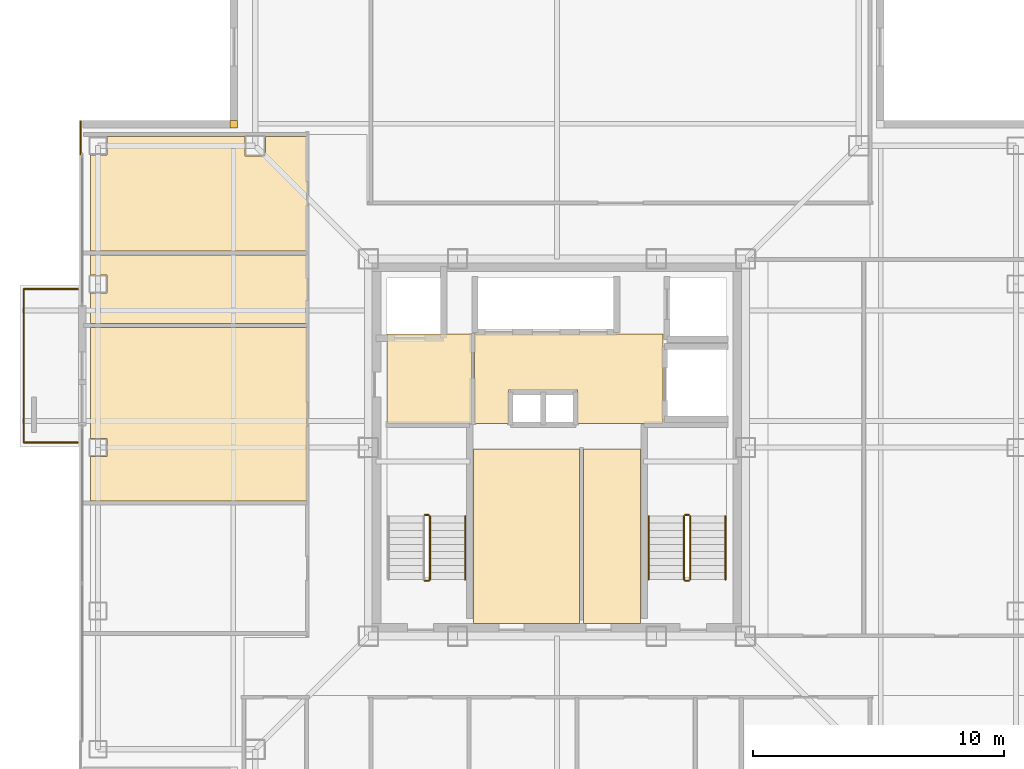
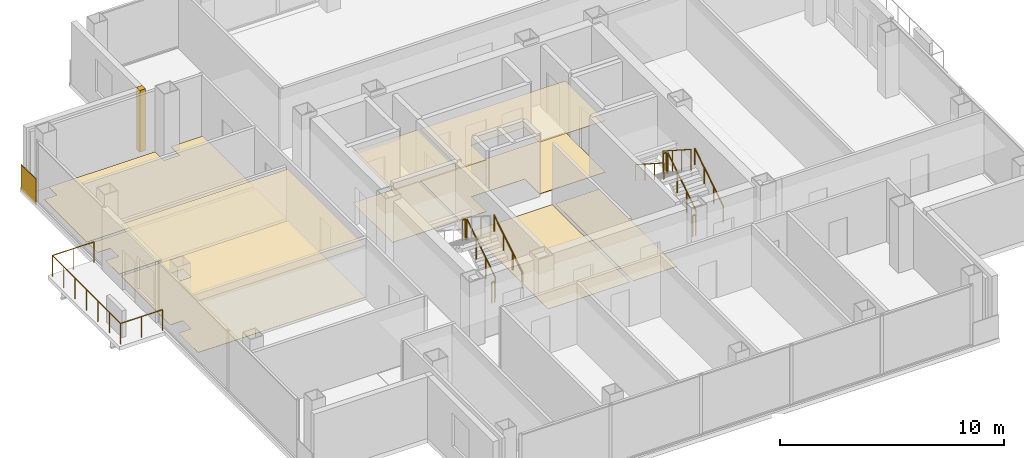
# One storey, part 12 of 13: 13 railings, 12 coverings.
"""IFC4 building model written with IfcOpenShell, lengths in metres."""

from ifc_helpers import new_model, si_unit, direction, frame, frame_2d, origin, origin_2d, place, context, subcontext, project, spatial, polyline, rectangle, circle, outline, extrude, material, layer, layer_set, type_object, element, save


model = new_model("IFC4")

# Units and contexts
model_context = context("Model", 3, precision=1e-05, world=origin(), true_north=direction((0.0, 1.0)))
body_context = subcontext(model_context, "Body", "Model", "MODEL_VIEW")
ifc_project = project(units=[si_unit("LENGTHUNIT", "METRE"), si_unit("AREAUNIT", "SQUARE_METRE"), si_unit("VOLUMEUNIT", "CUBIC_METRE"), si_unit("PLANEANGLEUNIT", "RADIAN"), si_unit("MASSUNIT", "GRAM", prefix="KILO")], contexts=[model_context])

# Site, building, storey
site_placement = place(None, origin())
site = spatial("IfcSite", under=ifc_project, at=site_placement, CompositionType="ELEMENT")
building_placement = place(site_placement, origin())
building = spatial("IfcBuilding", under=site, at=building_placement, Name="Trevonay Congress Spire", CompositionType="ELEMENT")
storey_placement = place(building_placement, frame((0.0, 0.0, 286.39990234375)))
storey = spatial("IfcBuildingStorey", under=building, at=storey_placement, Name="L75", CompositionType="ELEMENT", Elevation=286.39990234375)

# Coverings
ifc_material_1 = material(Name="Acoustic Mineral Fibre Board", Category="gypsum")
ifc_layer_1 = layer(ifc_material_1, 0.02490234375, Name="Acoustic Mineral Fibre Board")
ifc_layer_set_1 = layer_set([ifc_layer_1], Name="Acoustic Mineral Fibre Board")
covering_type_1 = type_object("IfcCoveringType", Name="COV-CEIL-ACOUSTIC", PredefinedType="CEILING", material=ifc_layer_set_1)
covering_1_placement = place(storey_placement, frame((0.0, 0.0, 2.81005859375)))
element("IfcCovering", 1, at=covering_1_placement, inside=storey, type_object=covering_type_1, Name="L75 Firefighting Lift Lobby West acoustic suspended ceiling", PredefinedType="CEILING", context=body_context, shape_type="SweptSolid", body=[
    extrude(outline(polyline([(-6.75, 0.9599609375), (-3.3798828125, 0.9599609375), (-3.3798828125, 4.52001953125), (-6.75, 4.52001953125), (-6.75, 0.9599609375)])), origin(), (0.0, 0.0, 1.0), 0.025146484375),
])
covering_2_placement = place(storey_placement, frame((0.0, 0.0, 2.81005859375)))
element("IfcCovering", 2, at=covering_2_placement, inside=storey, type_object=covering_type_1, Name="L75 Central and High-Rise Passenger Lift Lobby acoustic suspended ceiling", PredefinedType="CEILING", context=body_context, shape_type="SweptSolid", body=[
    extrude(outline(polyline([(-3.280029296875, 0.949951171875), (-1.919921875, 0.949951171875), (-1.919921875, 2.280029296875), (0.820068359375, 2.280029296875), (0.820068359375, 0.949951171875), (4.219970703125, 0.949951171875), (4.219970703125, 4.52001953125), (-3.280029296875, 4.52001953125), (-3.280029296875, 0.949951171875)])), origin(), (0.0, 0.0, 1.0), 0.025146484375),
])
covering_3_placement = place(storey_placement, frame((0.0, 0.0, 2.81005859375)))
element("IfcCovering", 3, at=covering_3_placement, inside=storey, type_object=covering_type_1, Name="L75 Symposium Seminar Room B acoustic suspended ceiling", PredefinedType="CEILING", context=body_context, shape_type="SweptSolid", body=[
    extrude(outline(polyline([(-18.550048828125, 4.77001953125), (-9.929931640625, 4.77001953125), (-9.929931640625, -2.1201171875), (-18.550048828125, -2.1201171875), (-18.550048828125, -0.360107421875), (-17.889892578125, -0.360107421875), (-17.889892578125, 0.360107421875), (-18.550048828125, 0.360107421875), (-18.550048828125, 4.77001953125)])), origin(), (0.0, 0.0, 1.0), 0.025146484375),
])
ifc_material_2 = material(Name="Polished Granite Floor Tile", Category="masonry")
ifc_layer_2 = layer(ifc_material_2, 0.02001953125, Name="Polished Granite Floor Tile")
ifc_layer_set_2 = layer_set([ifc_layer_2], Name="Polished Granite Floor Tile")
covering_type_2 = type_object("IfcCoveringType", Name="COV-FLOOR-STONE", PredefinedType="FLOORING", material=ifc_layer_set_2)
covering_4_placement = place(storey_placement, origin())
element("IfcCovering", 4, at=covering_4_placement, inside=storey, type_object=covering_type_2, Name="L75 Firefighting Lift Lobby West floor finish", PredefinedType="FLOORING", context=body_context, shape_type="SweptSolid", body=[
    extrude(outline(polyline([(-6.75, 0.9599609375), (-3.3798828125, 0.9599609375), (-3.3798828125, 4.52001953125), (-6.75, 4.52001953125), (-6.75, 0.9599609375)])), origin(), (0.0, 0.0, 1.0), 0.02001953125),
])
covering_5_placement = place(storey_placement, origin())
element("IfcCovering", 5, at=covering_5_placement, inside=storey, type_object=covering_type_2, Name="L75 Central and High-Rise Passenger Lift Lobby floor finish", PredefinedType="FLOORING", context=body_context, shape_type="SweptSolid", body=[
    extrude(outline(polyline([(-3.280029296875, 0.949951171875), (-1.919921875, 0.949951171875), (-1.919921875, 2.280029296875), (0.820068359375, 2.280029296875), (0.820068359375, 0.949951171875), (4.219970703125, 0.949951171875), (4.219970703125, 4.52001953125), (-3.280029296875, 4.52001953125), (-3.280029296875, 0.949951171875)])), origin(), (0.0, 0.0, 1.0), 0.02001953125),
])
covering_6_placement = place(storey_placement, origin())
element("IfcCovering", 6, at=covering_6_placement, inside=storey, type_object=covering_type_2, Name="L75 Translation Equipment Hub floor finish", PredefinedType="FLOORING", context=body_context, shape_type="SweptSolid", body=[
    extrude(outline(polyline([(-3.320068359375, -7.0), (0.89990234375, -7.0), (0.89990234375, -0.050048828125), (-3.320068359375, -0.050048828125), (-3.320068359375, -7.0)])), origin(), (0.0, 0.0, 1.0), 0.02001953125),
])
covering_7_placement = place(storey_placement, origin())
element("IfcCovering", 7, at=covering_7_placement, inside=storey, type_object=covering_type_2, Name="L75 Floor Supplies Store floor finish", PredefinedType="FLOORING", context=body_context, shape_type="SweptSolid", body=[
    extrude(outline(polyline([(1.06005859375, -7.0), (3.320068359375, -7.0), (3.320068359375, -0.050048828125), (1.06005859375, -0.050048828125), (1.06005859375, -7.0)])), origin(), (0.0, 0.0, 1.0), 0.02001953125),
])
covering_8_placement = place(storey_placement, origin())
element("IfcCovering", 8, at=covering_8_placement, inside=storey, type_object=covering_type_2, Name="L75 Male Restroom WC floor finish", PredefinedType="FLOORING", context=body_context, shape_type="SweptSolid", body=[
    extrude(outline(polyline([(-18.550048828125, 7.64990234375), (-9.929931640625, 7.64990234375), (-9.929931640625, 4.929931640625), (-18.550048828125, 4.929931640625), (-18.550048828125, 6.139892578125), (-17.889892578125, 6.139892578125), (-17.889892578125, 6.860107421875), (-18.550048828125, 6.860107421875), (-18.550048828125, 7.64990234375)])), origin(), (0.0, 0.0, 1.0), 0.02001953125),
])
covering_9_placement = place(storey_placement, origin())
element("IfcCovering", 9, at=covering_9_placement, inside=storey, type_object=covering_type_2, Name="L75 Floor Supplies and Copy Room floor finish", PredefinedType="FLOORING", context=body_context, shape_type="SweptSolid", body=[
    extrude(outline(polyline([(-9.929931640625, 12.3701171875), (-9.929931640625, 7.81005859375), (-18.550048828125, 7.81005859375), (-18.550048828125, 11.639892578125), (-17.889892578125, 11.639892578125), (-17.889892578125, 12.360107421875), (-18.550048828125, 12.360107421875), (-18.550048828125, 12.3701171875), (-12.409912109375, 12.3701171875), (-12.409912109375, 11.590087890625), (-11.590087890625, 11.590087890625), (-11.590087890625, 12.3701171875), (-9.929931640625, 12.3701171875)])), origin(), (0.0, 0.0, 1.0), 0.02001953125),
])
ifc_material_3 = material(Name="Engineered Oak Flooring", Category="wood")
ifc_layer_3 = layer(ifc_material_3, 0.01806640625, Name="Engineered Oak Flooring")
ifc_layer_set_3 = layer_set([ifc_layer_3], Name="Engineered Oak Flooring")
covering_type_3 = type_object("IfcCoveringType", Name="COV-FLOOR-TIMBER", PredefinedType="FLOORING", material=ifc_layer_set_3)
covering_10_placement = place(storey_placement, origin())
element("IfcCovering", 10, at=covering_10_placement, inside=storey, type_object=covering_type_3, Name="L75 Symposium Seminar Room B floor finish", PredefinedType="FLOORING", context=body_context, shape_type="SweptSolid", body=[
    extrude(outline(polyline([(-18.550048828125, 4.77001953125), (-9.929931640625, 4.77001953125), (-9.929931640625, -2.1201171875), (-18.550048828125, -2.1201171875), (-18.550048828125, -0.360107421875), (-17.889892578125, -0.360107421875), (-17.889892578125, 0.360107421875), (-18.550048828125, 0.360107421875), (-18.550048828125, 4.77001953125)])), origin(), (0.0, 0.0, 1.0), 0.01806640625),
])
ifc_material_4 = material(Name="Pale Anodised Aluminium EN AW-6063-T6", Category="aluminium")
ifc_layer_4 = layer(ifc_material_4, 0.0400390625, Name="Pale Anodised Aluminium EN AW-6063-T6")
ifc_layer_set_4 = layer_set([ifc_layer_4], Name="Pale Anodised Aluminium EN AW-6063-T6")
covering_type_4 = type_object("IfcCoveringType", Name="COV-SPANDREL-PALE-METAL", PredefinedType="CLADDING", material=ifc_layer_set_4)
covering_11_placement = place(storey_placement, origin())
element("IfcCovering", 11, at=covering_11_placement, inside=storey, type_object=covering_type_4, Name="L75 NW re-entrant notch corner closure trim", PredefinedType="CLADDING", context=body_context, shape_type="SweptSolid", body=[
    extrude(outline(polyline([(-13.0, 12.699951171875), (-12.699951171875, 12.699951171875), (-12.699951171875, 13.0), (-13.0, 13.0), (-13.0, 12.699951171875)])), origin(), (0.0, 0.0, 1.0), 3.360107421875),
])
covering_12_placement = place(storey_placement, frame((-18.93994140625, 11.64990234375, -0.14990234375), z_axis=(0.0, 0.0, 1.0), x_axis=(0.0, 1.0, 0.0)))
element("IfcCovering", 12, at=covering_12_placement, inside=storey, type_object=covering_type_4, Name="L75 NW corner pier spandrel cladding 1", PredefinedType="CLADDING", context=body_context, shape_type="SweptSolid", body=[
    extrude(rectangle(XDim=1.35009765625, YDim=0.0400390625, at=frame_2d((0.675048828125, 0.0))), origin(), (0.0, 0.0, 1.0), 1.39990234375),
])

# Railings
railing_type_1 = type_object("IfcRailingType", Name="RAL-EXT-GUARD-115", PredefinedType="GUARDRAIL", material=ifc_material_4)
railing_1_placement = place(storey_placement, frame((-19.050048828125, 0.199951171875, 0.0)))
element("IfcRailing", 13, at=railing_1_placement, inside=storey, type_object=railing_type_1, Name="L75 perimeter safety guard GRD-L75-TBAL-W-1", PredefinedType="GUARDRAIL", context=body_context, shape_type="SweptSolid", body=[
    extrude(circle(Radius=0.02392578125, at=origin_2d()), frame((0.0, 0.0, 1.1259765625), z_axis=(-1.0, 0.0, 0.0), x_axis=(0.0, -1.0, 0.0)), (0.0, 0.0, 1.0), 2.14990234375),
    extrude(circle(Radius=0.02099609375, at=origin_2d()), origin(), (0.0, 0.0, 1.0), 1.101806640625),
    extrude(circle(Radius=0.02099609375, at=origin_2d()), frame((-1.074951171875, 0.0, 0.0)), (0.0, 0.0, 1.0), 1.101806640625),
    extrude(circle(Radius=0.02099609375, at=origin_2d()), frame((-2.14990234375, 0.0, 0.0)), (0.0, 0.0, 1.0), 1.101806640625),
])
railing_2_placement = place(storey_placement, frame((-21.199951171875, 0.199951171875, 0.0)))
element("IfcRailing", 14, at=railing_2_placement, inside=storey, type_object=railing_type_1, Name="L75 perimeter safety guard GRD-L75-TBAL-W-2", PredefinedType="GUARDRAIL", context=body_context, shape_type="SweptSolid", body=[
    extrude(circle(Radius=0.02392578125, at=origin_2d()), frame((0.0, 0.0, 1.1259765625), z_axis=(0.0, 1.0, 0.0), x_axis=(-1.0, 0.0, 0.0)), (0.0, 0.0, 1.0), 6.10009765625),
    extrude(circle(Radius=0.02099609375, at=origin_2d()), origin(), (0.0, 0.0, 1.0), 1.101806640625),
    extrude(circle(Radius=0.02099609375, at=origin_2d()), frame((0.0, 1.0166015625, 0.0)), (0.0, 0.0, 1.0), 1.101806640625),
    extrude(circle(Radius=0.02099609375, at=origin_2d()), frame((0.0, 2.033447265625, 0.0)), (0.0, 0.0, 1.0), 1.101806640625),
    extrude(circle(Radius=0.02099609375, at=origin_2d()), frame((0.0, 3.050048828125, 0.0)), (0.0, 0.0, 1.0), 1.101806640625),
    extrude(circle(Radius=0.02099609375, at=origin_2d()), frame((0.0, 4.066650390625, 0.0)), (0.0, 0.0, 1.0), 1.101806640625),
    extrude(circle(Radius=0.02099609375, at=origin_2d()), frame((0.0, 5.08349609375, 0.0)), (0.0, 0.0, 1.0), 1.101806640625),
    extrude(circle(Radius=0.02099609375, at=origin_2d()), frame((0.0, 6.10009765625, 0.0)), (0.0, 0.0, 1.0), 1.101806640625),
])
railing_3_placement = place(storey_placement, frame((-21.199951171875, 6.300048828125, 0.0)))
element("IfcRailing", 15, at=railing_3_placement, inside=storey, type_object=railing_type_1, Name="L75 perimeter safety guard GRD-L75-TBAL-W-3", PredefinedType="GUARDRAIL", context=body_context, shape_type="SweptSolid", body=[
    extrude(circle(Radius=0.02392578125, at=origin_2d()), frame((0.0, 0.0, 1.1259765625), z_axis=(1.0, 0.0, 0.0), x_axis=(0.0, 1.0, 0.0)), (0.0, 0.0, 1.0), 2.14990234375),
    extrude(circle(Radius=0.02099609375, at=origin_2d()), origin(), (0.0, 0.0, 1.0), 1.101806640625),
    extrude(circle(Radius=0.02099609375, at=origin_2d()), frame((1.074951171875, 0.0, 0.0)), (0.0, 0.0, 1.0), 1.101806640625),
    extrude(circle(Radius=0.02099609375, at=origin_2d()), frame((2.14990234375, 0.0, 0.0)), (0.0, 0.0, 1.0), 1.101806640625),
])
railing_type_2 = type_object("IfcRailingType", Name="RAL-STAIR-GUARD-110", PredefinedType="GUARDRAIL", material=ifc_material_4)
railing_4_placement = place(storey_placement, frame((-5.050048828125, -5.25, 0.18017578125)))
element("IfcRailing", 16, at=railing_4_placement, inside=storey, type_object=railing_type_2, Name="L75 ST-1 stair guard 1", PredefinedType="GUARDRAIL", context=body_context, shape_type="SweptSolid", body=[
    extrude(circle(Radius=0.02392578125, at=origin_2d()), frame((0.0, 0.0, 1.1259765625), z_axis=(0.0, 0.841199657755, 0.540724639528), x_axis=(-1.0, 0.0, 0.0)), (0.0, 0.0, 1.0), 2.995849609375),
    extrude(circle(Radius=0.02099609375, at=origin_2d()), origin(), (0.0, 0.0, 1.0), 1.101806640625),
    extrude(circle(Radius=0.02099609375, at=origin_2d()), frame((0.0, 0.840087890625, 0.5400390625)), (0.0, 0.0, 1.0), 1.101806640625),
    extrude(circle(Radius=0.02099609375, at=origin_2d()), frame((0.0, 1.679931640625, 1.079833984375)), (0.0, 0.0, 1.0), 1.101806640625),
    extrude(circle(Radius=0.02099609375, at=origin_2d()), frame((0.0, 2.52001953125, 1.619873046875)), (0.0, 0.0, 1.0), 1.101806640625),
])
for number, where, name in (
    (17, (-5.10009765625, -2.679931640625, 1.800048828125), "L75 ST-1 stair guard 2"),
    (18, (-5.10009765625, -5.300048828125, 0.0), "L75 ST-1 stair guard 4"),
):
    element("IfcRailing", number, at=place(storey_placement, frame(where)), inside=storey, type_object=railing_type_2, Name=name, PredefinedType="GUARDRAIL", context=body_context, shape_type="SweptSolid", body=[
        extrude(circle(Radius=0.02392578125, at=origin_2d()), frame((0.0, 0.0, 1.1259765625), z_axis=(-1.0, 0.0, 0.0), x_axis=(0.0, -1.0, 0.0)), (0.0, 0.0, 1.0), 0.14990234375),
        extrude(circle(Radius=0.02099609375, at=origin_2d()), origin(), (0.0, 0.0, 1.0), 1.101806640625),
        extrude(circle(Radius=0.02099609375, at=origin_2d()), frame((-0.14990234375, 0.0, 0.0)), (0.0, 0.0, 1.0), 1.101806640625),
    ])
railing_5_placement = place(storey_placement, frame((5.300048828125, -5.25, 0.18017578125)))
element("IfcRailing", 19, at=railing_5_placement, inside=storey, type_object=railing_type_2, Name="L75 ST-2 stair guard 1", PredefinedType="GUARDRAIL", context=body_context, shape_type="SweptSolid", body=[
    extrude(circle(Radius=0.02392578125, at=origin_2d()), frame((0.0, 0.0, 1.1259765625), z_axis=(0.0, 0.841199657755, 0.540724639528), x_axis=(-1.0, 0.0, 0.0)), (0.0, 0.0, 1.0), 2.995849609375),
    extrude(circle(Radius=0.02099609375, at=origin_2d()), origin(), (0.0, 0.0, 1.0), 1.101806640625),
    extrude(circle(Radius=0.02099609375, at=origin_2d()), frame((0.0, 0.840087890625, 0.5400390625)), (0.0, 0.0, 1.0), 1.101806640625),
    extrude(circle(Radius=0.02099609375, at=origin_2d()), frame((0.0, 1.679931640625, 1.079833984375)), (0.0, 0.0, 1.0), 1.101806640625),
    extrude(circle(Radius=0.02099609375, at=origin_2d()), frame((0.0, 2.52001953125, 1.619873046875)), (0.0, 0.0, 1.0), 1.101806640625),
])
railing_6_placement = place(storey_placement, frame((5.25, -2.679931640625, 1.800048828125)))
element("IfcRailing", 20, at=railing_6_placement, inside=storey, type_object=railing_type_2, Name="L75 ST-2 stair guard 2", PredefinedType="GUARDRAIL", context=body_context, shape_type="SweptSolid", body=[
    extrude(circle(Radius=0.02392578125, at=origin_2d()), frame((0.0, 0.0, 1.1259765625), z_axis=(-1.0, 0.0, 0.0), x_axis=(0.0, -1.0, 0.0)), (0.0, 0.0, 1.0), 0.14990234375),
    extrude(circle(Radius=0.02099609375, at=origin_2d()), origin(), (0.0, 0.0, 1.0), 1.101806640625),
    extrude(circle(Radius=0.02099609375, at=origin_2d()), frame((-0.14990234375, 0.0, 0.0)), (0.0, 0.0, 1.0), 1.101806640625),
])
railing_7_placement = place(storey_placement, frame((5.050048828125, -2.72998046875, 1.97998046875)))
element("IfcRailing", 21, at=railing_7_placement, inside=storey, type_object=railing_type_2, Name="L75 ST-2 stair guard 3", PredefinedType="GUARDRAIL", context=body_context, shape_type="SweptSolid", body=[
    extrude(circle(Radius=0.02392578125, at=origin_2d()), frame((0.0, 0.0, 1.1259765625), z_axis=(0.0, -0.841162588446, 0.540782303519), x_axis=(1.0, 0.0, 0.0)), (0.0, 0.0, 1.0), 2.995849609375),
    extrude(circle(Radius=0.02099609375, at=origin_2d()), origin(), (0.0, 0.0, 1.0), 1.101806640625),
    extrude(circle(Radius=0.02099609375, at=origin_2d()), frame((0.0, -0.840087890625, 0.5400390625)), (0.0, 0.0, 1.0), 1.101806640625),
    extrude(circle(Radius=0.02099609375, at=origin_2d()), frame((0.0, -1.679931640625, 1.080078125)), (0.0, 0.0, 1.0), 1.101806640625),
    extrude(circle(Radius=0.02099609375, at=origin_2d()), frame((0.0, -2.52001953125, 1.6201171875)), (0.0, 0.0, 1.0), 1.101806640625),
])
railing_8_placement = place(storey_placement, frame((5.25, -5.300048828125, 0.0)))
element("IfcRailing", 22, at=railing_8_placement, inside=storey, type_object=railing_type_2, Name="L75 ST-2 stair guard 4", PredefinedType="GUARDRAIL", context=body_context, shape_type="SweptSolid", body=[
    extrude(circle(Radius=0.02392578125, at=origin_2d()), frame((0.0, 0.0, 1.1259765625), z_axis=(-1.0, 0.0, 0.0), x_axis=(0.0, -1.0, 0.0)), (0.0, 0.0, 1.0), 0.14990234375),
    extrude(circle(Radius=0.02099609375, at=origin_2d()), origin(), (0.0, 0.0, 1.0), 1.101806640625),
    extrude(circle(Radius=0.02099609375, at=origin_2d()), frame((-0.14990234375, 0.0, 0.0)), (0.0, 0.0, 1.0), 1.101806640625),
])
railing_type_3 = type_object("IfcRailingType", Name="RAL-STAIR-HANDRAIL", PredefinedType="HANDRAIL", material=ifc_material_4)
for number, where, name in (
    (23, (-3.64990234375, -5.25, 0.18017578125), "L75 ST-1 stair handrail 1"),
    (24, (6.699951171875, -5.25, 0.18017578125), "L75 ST-2 stair handrail 1"),
):
    element("IfcRailing", number, at=place(storey_placement, frame(where)), inside=storey, type_object=railing_type_3, Name=name, PredefinedType="HANDRAIL", context=body_context, shape_type="SweptSolid", body=[
        extrude(circle(Radius=0.02392578125, at=origin_2d()), frame((0.0, 0.0, 0.8759765625), z_axis=(0.0, 0.841199657755, 0.540724639528), x_axis=(-1.0, 0.0, 0.0)), (0.0, 0.0, 1.0), 2.995849609375),
        extrude(circle(Radius=0.02099609375, at=origin_2d()), origin(), (0.0, 0.0, 1.0), 0.851806640625),
        extrude(circle(Radius=0.02099609375, at=origin_2d()), frame((0.0, 0.840087890625, 0.5400390625)), (0.0, 0.0, 1.0), 0.851806640625),
        extrude(circle(Radius=0.02099609375, at=origin_2d()), frame((0.0, 1.679931640625, 1.079833984375)), (0.0, 0.0, 1.0), 0.851806640625),
        extrude(circle(Radius=0.02099609375, at=origin_2d()), frame((0.0, 2.52001953125, 1.619873046875)), (0.0, 0.0, 1.0), 0.851806640625),
    ])
railing_9_placement = place(storey_placement, frame((3.64990234375, -2.72998046875, 1.97998046875)))
element("IfcRailing", 25, at=railing_9_placement, inside=storey, type_object=railing_type_3, Name="L75 ST-2 stair handrail 2", PredefinedType="HANDRAIL", context=body_context, shape_type="SweptSolid", body=[
    extrude(circle(Radius=0.02392578125, at=origin_2d()), frame((0.0, 0.0, 0.8759765625), z_axis=(0.0, -0.841162588446, 0.540782303519), x_axis=(1.0, 0.0, 0.0)), (0.0, 0.0, 1.0), 2.995849609375),
    extrude(circle(Radius=0.02099609375, at=origin_2d()), origin(), (0.0, 0.0, 1.0), 0.851806640625),
    extrude(circle(Radius=0.02099609375, at=origin_2d()), frame((0.0, -0.840087890625, 0.5400390625)), (0.0, 0.0, 1.0), 0.851806640625),
    extrude(circle(Radius=0.02099609375, at=origin_2d()), frame((0.0, -1.679931640625, 1.080078125)), (0.0, 0.0, 1.0), 0.851806640625),
    extrude(circle(Radius=0.02099609375, at=origin_2d()), frame((0.0, -2.52001953125, 1.6201171875)), (0.0, 0.0, 1.0), 0.851806640625),
])

save(model, "model.ifc")
